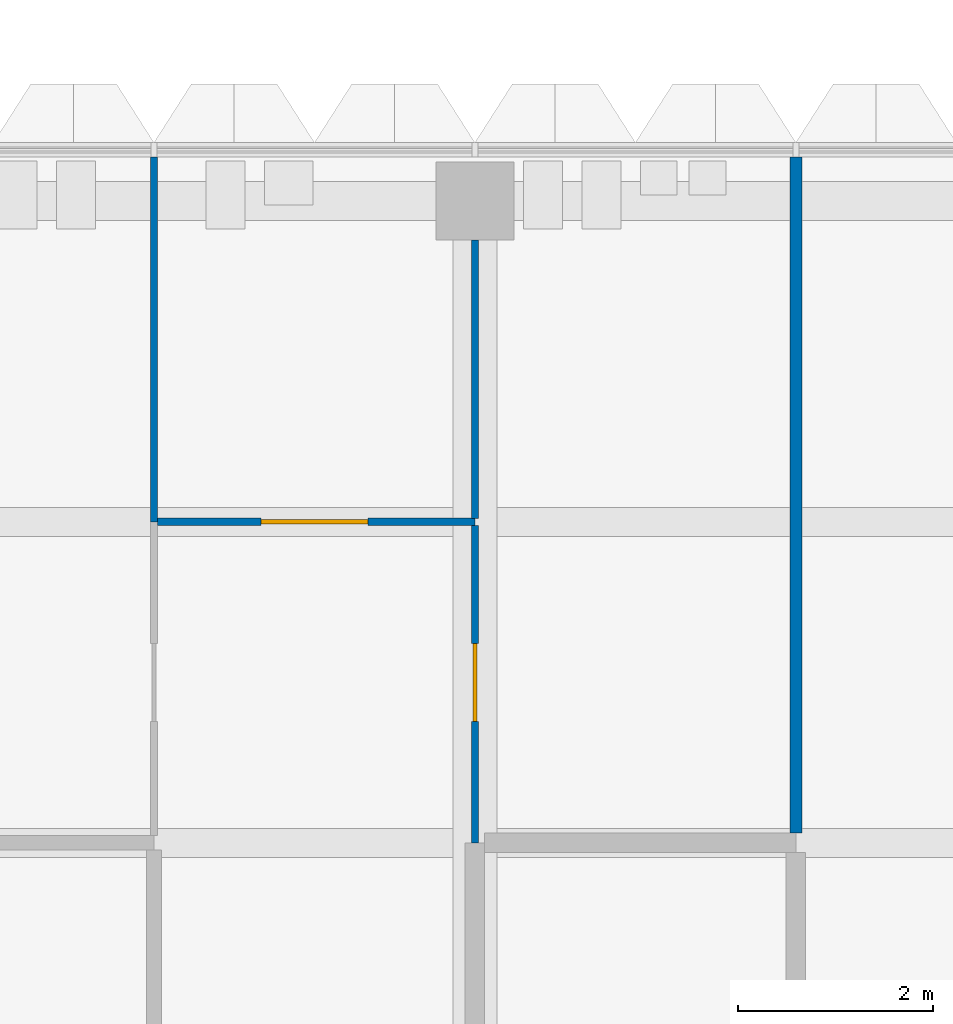
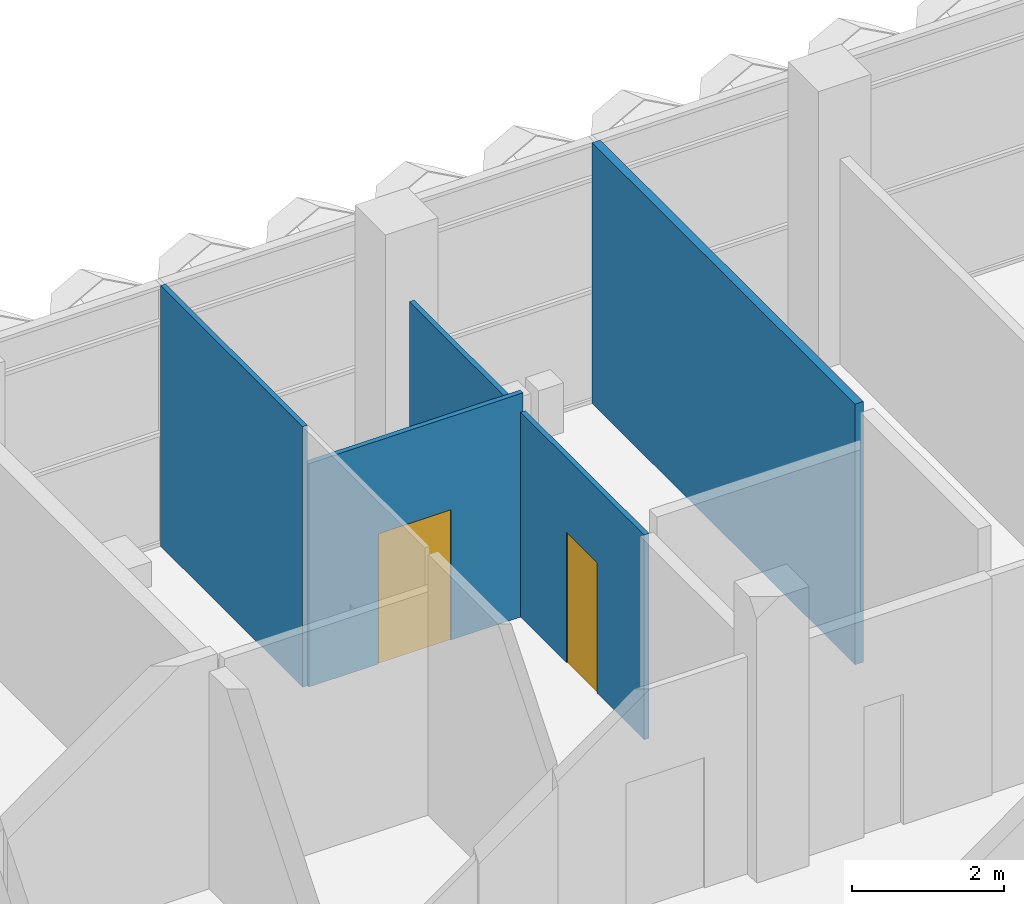
# One storey, part 22 of 61: 5 walls, 2 doors, 2 openings.
"""IFC4 building model written with IfcOpenShell, lengths in metres."""

from ifc_helpers import new_model, si_unit, direction, frame, frame_2d, origin, place, context, subcontext, project, spatial, rectangle, extrude, material, layer, layer_set, type_object, element, fill, save


model = new_model("IFC4")

# Units and contexts
model_context = context("Model", 3, precision=1e-05, world=origin(), true_north=direction((0.0, 1.0)))
body_context = subcontext(model_context, "Body", "Model", "MODEL_VIEW")
ifc_project = project(units=[si_unit("LENGTHUNIT", "METRE"), si_unit("AREAUNIT", "SQUARE_METRE"), si_unit("VOLUMEUNIT", "CUBIC_METRE"), si_unit("PLANEANGLEUNIT", "RADIAN"), si_unit("MASSUNIT", "GRAM", prefix="KILO")], contexts=[model_context])

# Site, building, storey
site_placement = place(None, origin())
site = spatial("IfcSite", under=ifc_project, at=site_placement, CompositionType="ELEMENT")
building_placement = place(site_placement, origin())
building = spatial("IfcBuilding", under=site, at=building_placement, Name="Lantern Court Research Institute", CompositionType="ELEMENT")
storey_placement = place(building_placement, frame((0.0, 0.0, 23.39990234375)))
storey = spatial("IfcBuildingStorey", under=building, at=storey_placement, Name="L05", CompositionType="ELEMENT", Elevation=23.39990234375)

# Walls
ifc_material_1 = material(Name="Fire-rated gypsum board partition, mineral wool filled")
ifc_layer_1 = layer(ifc_material_1, 0.125)
ifc_layer_set_1 = layer_set([ifc_layer_1], Name="Fire-rated gypsum board partition, mineral wool filled")
wall_type_1 = type_object("IfcWallType", Name="Corridor partition 125 EI 60", PredefinedType="PARTITIONING", material=ifc_layer_set_1)
wall_1_placement = place(storey_placement, frame((62.699951171875, 16.60009765625, 0.0), z_axis=(0.0, 0.0, 1.0), x_axis=(0.0, 1.0, 0.0)))
element("IfcWall", 1, at=wall_1_placement, inside=storey, type_object=wall_type_1, Name="Corridor partition 125 EI 60", PredefinedType="PARTITIONING", context=body_context, shape_type="SweptSolid", body=[
    extrude(rectangle(XDim=6.949951171875, YDim=0.125, at=frame_2d((3.47509765625, 0.0))), origin(), (0.0, 0.0, 1.0), 4.2001953125),
])
ifc_material_2 = material(Name="Gypsum board partition, mineral wool filled")
ifc_layer_2 = layer(ifc_material_2, 0.074951171875)
ifc_layer_set_2 = layer_set([ifc_layer_2], Name="Gypsum board partition, mineral wool filled")
wall_type_2 = type_object("IfcWallType", Name="Wet room partition 75", PredefinedType="PARTITIONING", material=ifc_layer_set_2)
wall_2_placement = place(storey_placement, frame((56.10009765625, 19.800048828125, 0.0), z_axis=(0.0, 0.0, 1.0), x_axis=(0.0, 1.0, 0.0)))
element("IfcWall", 2, at=wall_2_placement, inside=storey, type_object=wall_type_2, Name="Wet room partition 75", PredefinedType="PARTITIONING", context=body_context, shape_type="SweptSolid", body=[
    extrude(rectangle(XDim=3.75, YDim=0.074951171875, at=frame_2d((1.875, 0.0))), origin(), (0.0, 0.0, 1.0), 4.2001953125),
])

# Wall, opening, door
wall_3_placement = place(storey_placement, frame((56.137451171875, 19.800048828125, 0.0), z_axis=(0.0, 0.0, 1.0), x_axis=(1.0, 0.0, 0.0)))
wall_3 = element("IfcWall", 3, at=wall_3_placement, inside=storey, type_object=wall_type_2, Name="Wet room partition 75", PredefinedType="PARTITIONING", context=body_context, shape_type="SweptSolid", body=[
    extrude(rectangle(XDim=3.262451171875, YDim=0.074951171875, at=frame_2d((1.63134765625, 0.0))), origin(), (0.0, 0.0, 1.0), 3.60009765625),
])
opening_1_placement = place(wall_3_placement, frame((1.0625, 0.0, 0.0)))
opening_1 = element("IfcOpeningElement", 4, at=opening_1_placement, cuts=wall_3, Name="Opening D5504", PredefinedType="OPENING", context=body_context, shape_type="SweptSolid", body=[
    extrude(rectangle(XDim=1.10009765625, YDim=2.10009765625, at=frame_2d((0.550048828125, 1.050048828125))), frame((0.0, 0.04736328125, 0.0), z_axis=(0.0, -1.0, 0.0), x_axis=(1.0, 0.0, 0.0)), (0.0, 0.0, 1.0), 0.094970703125),
])
ifc_material_3 = material(Name="Solid-core timber door leaf", Category="wood")
ifc_layer_3 = layer(ifc_material_3, 0.0439453125)
ifc_layer_set_3 = layer_set([ifc_layer_3], Name="Solid-core timber door leaf")
door_type_1 = type_object("IfcDoorType", Name="Accessible WC door 1100 x 2100 single NOT RATED", OperationType="NOTDEFINED", PredefinedType="DOOR", material=ifc_layer_set_3)
door_1_placement = place(opening_1_placement, origin())
door_1 = element("IfcDoor", 5, at=door_1_placement, inside=storey, type_object=door_type_1, Name="Door D5504", OperationType="SINGLE_SWING_RIGHT", OverallHeight=2.10009765625, OverallWidth=1.10009765625, PredefinedType="DOOR", context=body_context, shape_type="SweptSolid", body=[
    extrude(rectangle(XDim=1.10009765625, YDim=2.10009765625, at=frame_2d((0.550048828125, 1.050048828125))), frame((0.0, 0.02197265625, 0.0), z_axis=(0.0, -1.0, 0.0), x_axis=(1.0, 0.0, 0.0)), (0.0, 0.0, 1.0), 0.0439453125),
])
fill(opening_1, door_1)

wall_4_placement = place(storey_placement, frame((59.39990234375, 19.762451171875, 0.0), z_axis=(0.0, 0.0, 1.0), x_axis=(0.0, -1.0, 0.0)))
wall_4 = element("IfcWall", 6, at=wall_4_placement, inside=storey, type_object=wall_type_2, Name="Wet room partition 75", PredefinedType="PARTITIONING", context=body_context, shape_type="SweptSolid", body=[
    extrude(rectangle(XDim=3.262451171875, YDim=0.074951171875, at=frame_2d((1.63134765625, 0.0))), origin(), (0.0, 0.0, 1.0), 3.300048828125),
])
opening_2_placement = place(wall_4_placement, frame((1.21240234375, 0.0, 0.0)))
opening_2 = element("IfcOpeningElement", 7, at=opening_2_placement, cuts=wall_4, Name="Opening D5506", PredefinedType="OPENING", context=body_context, shape_type="SweptSolid", body=[
    extrude(rectangle(XDim=0.800048828125, YDim=2.10009765625, at=frame_2d((0.39990234375, 1.050048828125))), frame((0.0, 0.04736328125, 0.0), z_axis=(0.0, -1.0, 0.0), x_axis=(1.0, 0.0, 0.0)), (0.0, 0.0, 1.0), 0.094970703125),
])
ifc_material_4 = material(Name="Solid-core timber door leaf", Category="wood")
ifc_layer_4 = layer(ifc_material_4, 0.0439453125)
ifc_layer_set_4 = layer_set([ifc_layer_4], Name="Solid-core timber door leaf")
door_type_2 = type_object("IfcDoorType", Name="WC door 800 x 2100 single NOT RATED", OperationType="NOTDEFINED", PredefinedType="DOOR", material=ifc_layer_set_4)
door_2_placement = place(opening_2_placement, origin())
door_2 = element("IfcDoor", 8, at=door_2_placement, inside=storey, type_object=door_type_2, Name="Door D5506", OperationType="SINGLE_SWING_RIGHT", OverallHeight=2.10009765625, OverallWidth=0.800048828125, PredefinedType="DOOR", context=body_context, shape_type="SweptSolid", body=[
    extrude(rectangle(XDim=0.800048828125, YDim=2.10009765625, at=frame_2d((0.39990234375, 1.050048828125))), frame((0.0, 0.02197265625, 0.0), z_axis=(0.0, -1.0, 0.0), x_axis=(1.0, 0.0, 0.0)), (0.0, 0.0, 1.0), 0.0439453125),
])
fill(opening_2, door_2)

# Wall
wall_5_placement = place(storey_placement, frame((59.39990234375, 19.83740234375, 0.0), z_axis=(0.0, 0.0, 1.0), x_axis=(0.0, 1.0, 0.0)))
element("IfcWall", 9, at=wall_5_placement, inside=storey, type_object=wall_type_2, Name="Wet room partition 75", PredefinedType="PARTITIONING", context=body_context, shape_type="SweptSolid", body=[
    extrude(rectangle(XDim=2.862548828125, YDim=0.074951171875, at=frame_2d((1.43115234375, 0.0))), origin(), (0.0, 0.0, 1.0), 3.300048828125),
])

save(model, "model.ifc")
